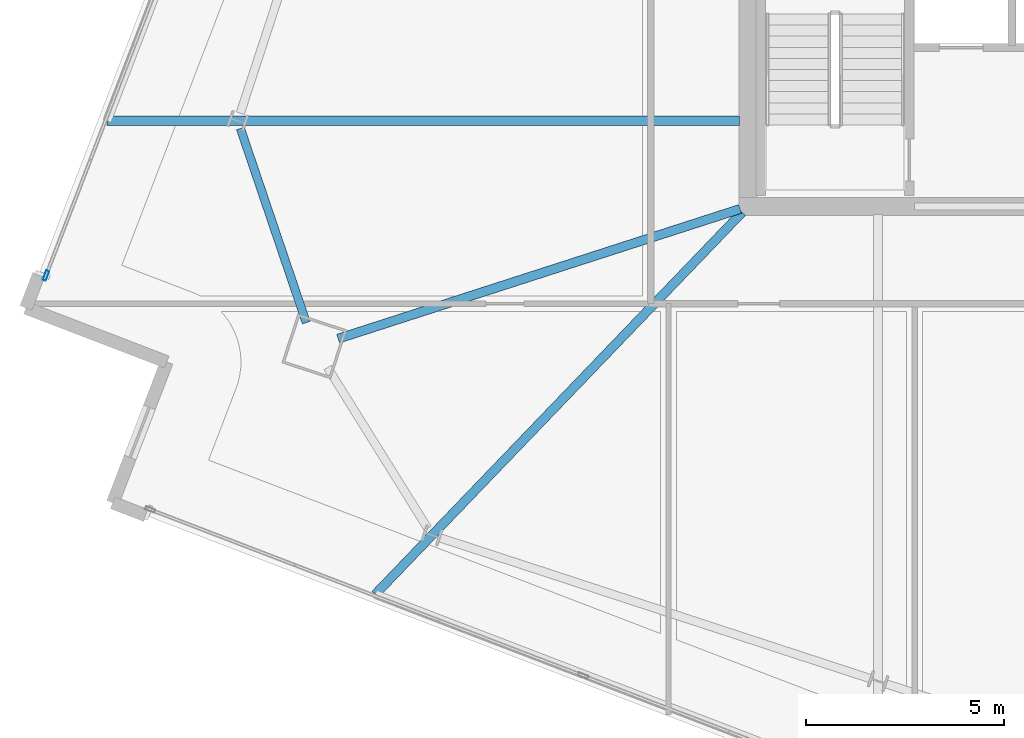
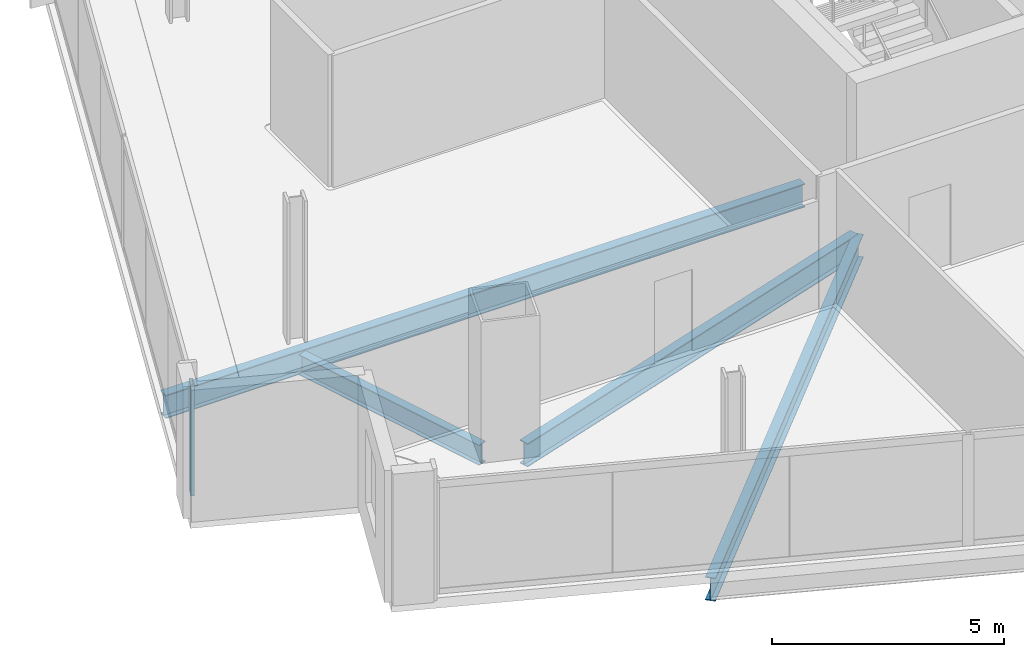
# One storey, part 5 of 27: 4 beams, 1 member, 1 element without a shape of its own.
"""IFC4 building model written with IfcOpenShell, lengths in metres."""

from ifc_helpers import new_model, si_unit, direction, frame, origin, origin_2d, place, context, subcontext, project, spatial, hollow_rectangle, i_section, extrude, material, material_profile, profile_set, type_object, element, aggregate, save


model = new_model("IFC4")

# Units and contexts
model_context = context("Model", 3, precision=1e-05, world=origin(), true_north=direction((0.0, 1.0)))
body_context = subcontext(model_context, "Body", "Model", "MODEL_VIEW")
ifc_project = project(units=[si_unit("LENGTHUNIT", "METRE"), si_unit("AREAUNIT", "SQUARE_METRE"), si_unit("VOLUMEUNIT", "CUBIC_METRE"), si_unit("PLANEANGLEUNIT", "RADIAN"), si_unit("MASSUNIT", "GRAM", prefix="KILO")], contexts=[model_context])

# Site, building, storey
site_placement = place(None, origin())
site = spatial("IfcSite", under=ifc_project, at=site_placement, CompositionType="ELEMENT")
building_placement = place(site_placement, origin())
building = spatial("IfcBuilding", under=site, at=building_placement, Name="Haldenkirk Collegiate Tower", CompositionType="ELEMENT")
storey_placement = place(building_placement, frame((0.0, 0.0, 259.949951171875)))
storey = spatial("IfcBuildingStorey", under=building, at=storey_placement, Name="L65", CompositionType="ELEMENT", Elevation=259.949951171875)

# Beams
ifc_material_1 = material(Name="Steel ASTM A992 Grade 50", Category="steel")
ifc_material_profile_1 = material_profile(ifc_material_1, i_section(OverallWidth=0.22998046875, OverallDepth=0.616943359375, WebThickness=0.01318359375, FlangeThickness=0.022216796875, at=origin_2d()), Name="W24X94")
ifc_profile_set_1 = profile_set([ifc_material_profile_1], Name="Steel ASTM A992 Grade 50")
beam_type_1 = type_object("IfcBeamType", Name="BM-GIRDER-W24X94", PredefinedType="BEAM", material=ifc_profile_set_1)
beam_1_placement = place(storey_placement, frame((16.677001953125, 14.66796875, -0.578369140625), z_axis=(0.95165454957, 0.307170340824, 0.0), x_axis=(-0.307170340824, 0.95165454957, 0.0)))
element("IfcBeam", 1, at=beam_1_placement, inside=storey, type_object=beam_type_1, Name="L65 primary floor girder 04", PredefinedType="BEAM", context=body_context, shape_type="SweptSolid", body=[
    extrude(i_section(OverallWidth=0.22998046875, OverallDepth=0.616943359375, WebThickness=0.01318359375, FlangeThickness=0.022216796875, at=origin_2d()), origin(), (0.0, 0.0, 1.0), 10.642333984375),
])
beam_2_placement = place(storey_placement, frame((10.8564453125, 20.157958984375, -0.578369140625), z_axis=(1.0, 0.0, 0.0), x_axis=(0.0, 1.0, 0.0)))
element("IfcBeam", 2, at=beam_2_placement, inside=storey, type_object=beam_type_1, Name="L65 primary floor girder 13", PredefinedType="BEAM", context=body_context, shape_type="SweptSolid", body=[
    extrude(i_section(OverallWidth=0.22998046875, OverallDepth=0.616943359375, WebThickness=0.01318359375, FlangeThickness=0.022216796875, at=origin_2d()), origin(), (0.0, 0.0, 1.0), 15.9384765625),
])
beam_3_placement = place(storey_placement, frame((17.61376953125, 8.228759765625, -0.578369140625), z_axis=(0.692748115821, 0.721179622581, 0.0), x_axis=(-0.721179622581, 0.692748115821, 0.0)))
element("IfcBeam", 3, at=beam_3_placement, inside=storey, type_object=beam_type_1, Name="L65 primary floor girder 14", PredefinedType="BEAM", context=body_context, shape_type="SweptSolid", body=[
    extrude(i_section(OverallWidth=0.22998046875, OverallDepth=0.616943359375, WebThickness=0.01318359375, FlangeThickness=0.022216796875, at=origin_2d()), origin(), (0.0, 0.0, 1.0), 13.34423828125),
])
ifc_material_profile_2 = material_profile(ifc_material_1, i_section(OverallWidth=0.2099609375, OverallDepth=0.537109375, WebThickness=0.010986328125, FlangeThickness=0.017333984375, at=origin_2d()), Name="W21X68")
ifc_profile_set_2 = profile_set([ifc_material_profile_2], Name="Steel ASTM A992 Grade 50")
beam_type_2 = type_object("IfcBeamType", Name="BM-SPANDREL-W21X68", PredefinedType="SPANDREL", material=ifc_profile_set_2)
beam_4_placement = place(storey_placement, frame((14.214599609375, 19.96630859375, -0.538330078125), z_axis=(0.321210878439, -0.947007693513, 0.0), x_axis=(0.947007693513, 0.321210878439, 0.0)))
element("IfcBeam", 4, at=beam_4_placement, inside=storey, type_object=beam_type_2, Name="L65 perimeter spandrel beam 12", PredefinedType="SPANDREL", context=body_context, shape_type="SweptSolid", body=[
    extrude(i_section(OverallWidth=0.2099609375, OverallDepth=0.537109375, WebThickness=0.010986328125, FlangeThickness=0.017333984375, at=origin_2d()), origin(), (0.0, 0.0, 1.0), 5.169189453125),
])

# Curtain wall, member
ifc_material_2 = material(Name="Anodised architectural bronze aluminium", Category="aluminium")
curtain_wall_type = type_object("IfcCurtainWallType", Name="CW-SYS1B-CONVEX-HI", PredefinedType="USERDEFINED", material=ifc_material_2)
curtain_wall_placement = place(storey_placement, origin())
curtain_wall = element("IfcCurtainWall", 5, at=curtain_wall_placement, inside=storey, type_object=curtain_wall_type, Name="L65 Upper tower high-wind convex bronze unitised curtain wall", ObjectType="UNITISED CURTAIN WALL", PredefinedType="USERDEFINED")
ifc_material_profile_3 = material_profile(ifc_material_2, hollow_rectangle(XDim=0.0849609375, YDim=0.25, WallThickness=0.0048828125, at=origin_2d()), Name="CW-MUL-1B")
ifc_profile_set_3 = profile_set([ifc_material_profile_3], Name="Anodised architectural bronze aluminium")
member_type = type_object("IfcMemberType", Name="CW-MUL-1B", PredefinedType="MULLION", material=ifc_profile_set_3)
member_placement = place(storey_placement, frame((9.31640625, 16.258056640625, 0.0), z_axis=(0.0, 0.0, 1.0), x_axis=(-0.933580053116, 0.358368922235, 0.0)))
member = element("IfcMember", 6, at=member_placement, type_object=member_type, Name="CW-1B mullion 1", PredefinedType="MULLION", context=body_context, shape_type="SweptSolid", body=[
    extrude(hollow_rectangle(XDim=0.0849609375, YDim=0.25, WallThickness=0.0048828125, at=origin_2d()), origin(), (0.0, 0.0, 1.0), 2.93798828125),
])
aggregate(curtain_wall, [member])

save(model, "model.ifc")
